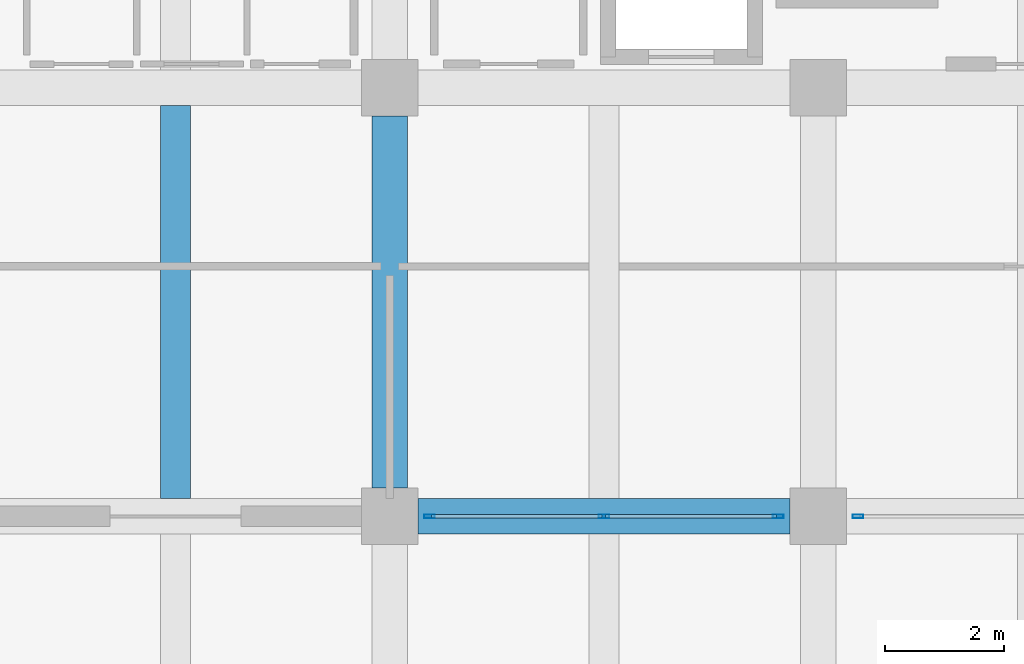
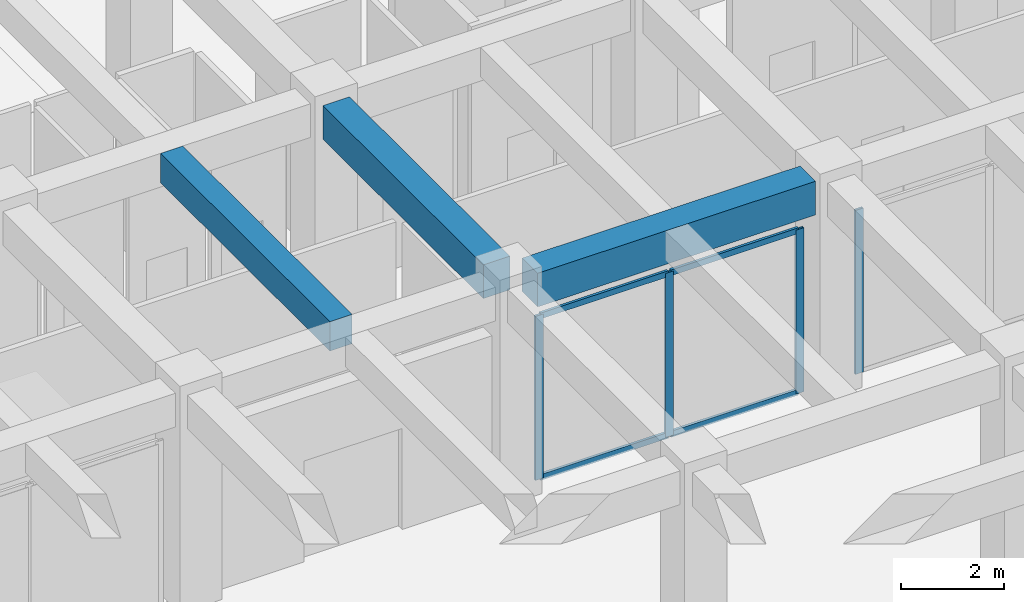
# One storey, part 12 of 56: 8 members, 3 beams, 2 elements without a shape of their own.
"""IFC4 building model written with IfcOpenShell, lengths in metres."""

import ifcopenshell
import ifcopenshell.guid

model = None  # the IFC model being written
_history = None  # IfcOwnerHistory: only IFC2X3 demands one
_inside = {}  # id of a spatial element -> (the spatial element, [elements in it])
_under = {}  # id of a project, library or spatial element -> (it, [spatial elements below it])
_declared = {}  # id of a project -> (the project, [libraries it declares])
_typed = {}  # id of a type object -> (the type object, [elements of that type])
_made_of = {}  # id of a material, layer set ... -> (it, [elements and type objects made of it])


def new_model(schema):
    """Start an empty IFC model of exactly this schema.

    Asked for "IFC4X3", IfcOpenShell would pick the latest addendum, in which some entities
    have other attributes; the version numbers below select the first issue.
    IFC2X3 requires an IfcOwnerHistory on every rooted entity: one is made here for all.
    """
    global model, _history
    if schema == "IFC4X3":
        model = ifcopenshell.file(schema_version=(4, 3, 0, 0))
    else:
        model = ifcopenshell.file(schema=schema)
    _inside.clear()
    _under.clear()
    _declared.clear()
    _typed.clear()
    _made_of.clear()
    _history = None
    if model.schema == "IFC2X3":
        org = make("IfcOrganization", Name="unknown")
        user = make(
            "IfcPersonAndOrganization",
            ThePerson=make("IfcPerson", FamilyName="unknown"),
            TheOrganization=org,
        )
        app = make(
            "IfcApplication",
            ApplicationDeveloper=org,
            Version="unknown",
            ApplicationFullName="unknown",
            ApplicationIdentifier="unknown",
        )
        _history = make(
            "IfcOwnerHistory",
            OwningUser=user,
            OwningApplication=app,
            ChangeAction="ADDED",
            CreationDate=0,
        )
    return model


def make(cls, **values):
    """One entity of the class cls with the attributes given. An attribute that is None is left unset."""
    return model.create_entity(
        cls, **{name: value for name, value in values.items() if value is not None}
    )


def rooted(cls, **values):
    """An entity with a GlobalId (a new one), such as an element, a storey or a relation."""
    return make(cls, GlobalId=ifcopenshell.guid.new(), OwnerHistory=_history, **values)


def si_unit(unit_type, name, prefix=None):
    """IfcSIUnit, for example si_unit("LENGTHUNIT", "METRE", prefix="MILLI")."""
    return make("IfcSIUnit", UnitType=unit_type, Prefix=prefix, Name=name)


def assignment(units):
    """IfcUnitAssignment: the units of a project."""
    return None if units is None else make("IfcUnitAssignment", Units=units)


def point(xyz):
    """IfcCartesianPoint."""
    return None if xyz is None else make("IfcCartesianPoint", Coordinates=xyz)


def direction(xyz):
    """IfcDirection."""
    return None if xyz is None else make("IfcDirection", DirectionRatios=xyz)


def frame(location, z_axis=None, x_axis=None):
    """IfcAxis2Placement3D, a coordinate frame: its origin and axes. An axis left out is left unset."""
    return make(
        "IfcAxis2Placement3D",
        Location=point(location),
        Axis=direction(z_axis),
        RefDirection=direction(x_axis),
    )


def frame_2d(location, x_axis=None):
    """IfcAxis2Placement2D, a coordinate frame in the plane: its origin and x axis."""
    return make(
        "IfcAxis2Placement2D", Location=point(location), RefDirection=direction(x_axis)
    )


def origin():
    """The frame at (0, 0, 0) with its axes left unset."""
    return frame((0.0, 0.0, 0.0))


def origin_2d():
    """The frame at (0, 0) in the plane with its x axis left unset."""
    return frame_2d((0.0, 0.0))


def place(relative_to, where):
    """IfcLocalPlacement: puts the frame where relative to a parent placement (None: the world)."""
    return make(
        "IfcLocalPlacement", PlacementRelTo=relative_to, RelativePlacement=where
    )


def context(
    kind, dimensions, precision=None, world=None, true_north=None, identifier=None
):
    """IfcGeometricRepresentationContext, for example the 3D "Model" context."""
    return make(
        "IfcGeometricRepresentationContext",
        ContextIdentifier=identifier,
        ContextType=kind,
        CoordinateSpaceDimension=dimensions,
        Precision=precision,
        WorldCoordinateSystem=world,
        TrueNorth=true_north,
    )


def subcontext(parent, identifier, kind, view, scale=None):
    """IfcGeometricRepresentationSubContext, for example "Body" below "Model"."""
    return make(
        "IfcGeometricRepresentationSubContext",
        ContextIdentifier=identifier,
        ContextType=kind,
        ParentContext=parent,
        TargetScale=scale,
        TargetView=view,
    )


def project(units=None, contexts=None):
    """IfcProject with its units and contexts."""
    return rooted(
        "IfcProject",
        Name="project",
        RepresentationContexts=contexts,
        UnitsInContext=assignment(units),
    )


def spatial(cls, under=None, at=None, **own):
    """A site, building, storey or space (cls), placed at a placement, below another one or the project."""
    s = rooted(cls, ObjectPlacement=at, **own)
    if under is not None:
        _under.setdefault(under.id(), (under, []))[1].append(s)
    return s


def profile(cls, at=None, kind="AREA", **sizes):
    """A parametric profile (cls). Its sizes go by their IFC names, for example OverallWidth=200.0."""
    return make(cls, ProfileType=kind, Position=at, **sizes)


def rectangle(**sizes):
    """IfcRectangleProfileDef."""
    return profile("IfcRectangleProfileDef", **sizes)


def hollow_rectangle(**sizes):
    """IfcRectangleHollowProfileDef."""
    return profile("IfcRectangleHollowProfileDef", **sizes)


def extrude(swept, where, along, depth):
    """IfcExtrudedAreaSolid: the profile swept, set in the frame where, extruded along a direction by depth."""
    return make(
        "IfcExtrudedAreaSolid",
        SweptArea=swept,
        Position=where,
        ExtrudedDirection=direction(along),
        Depth=depth,
    )


def shape(context_of_items, identifier, shape_type, items):
    """IfcShapeRepresentation: the items that make up one representation, for example the "Body"."""
    return make(
        "IfcShapeRepresentation",
        ContextOfItems=context_of_items,
        RepresentationIdentifier=identifier,
        RepresentationType=shape_type,
        Items=items,
    )


def material(Name=None, Category=None):
    """IfcMaterial."""
    return make("IfcMaterial", Name=Name, Category=Category)


def material_profile(
    of_material, cross_section, Name=None, Category=None, Priority=None
):
    """IfcMaterialProfile: a cross section and its material."""
    return make(
        "IfcMaterialProfile",
        Name=Name,
        Material=of_material,
        Profile=cross_section,
        Priority=Priority,
        Category=Category,
    )


def profile_set(profiles, Name=None, composite=None):
    """IfcMaterialProfileSet."""
    return make(
        "IfcMaterialProfileSet",
        Name=Name,
        MaterialProfiles=profiles,
        CompositeProfile=composite,
    )


def made_of(thing, what):
    """Note that an element or type object is made of a material, layer set ...; save() writes the relation."""
    if what is not None:
        _made_of.setdefault(what.id(), (what, []))[1].append(thing)
    return thing


def type_object(cls, material=None, **own):
    """A type object (cls), such as IfcWallType, which elements share."""
    return made_of(rooted(cls, **own), material)


def element(
    cls,
    number,
    at=None,
    inside=None,
    cuts=None,
    type_object=None,
    material=None,
    context=None,
    identifier="Body",
    shape_type=None,
    held_by="IfcProductDefinitionShape",
    body=None,
    shapes=None,
    **own,
):
    """One element of the class cls, such as IfcWall. Its Tag is "e" and its number.

    at: its placement. inside: the storey or other place that contains it. cuts: it is an
    opening in that element (IfcRelVoidsElement). A single representation is given by context,
    identifier, shape_type and body (its items); several are given by shapes. held_by: the class
    of the entity that holds the representations. save() writes the other relations.
    """
    e = rooted(cls, Tag="e%d" % number, ObjectPlacement=at, **own)
    if body is not None:
        shapes = [shape(context, identifier, shape_type, body)]
    if shapes is not None:
        e.Representation = make(held_by, Representations=shapes)
    if inside is not None:
        _inside.setdefault(inside.id(), (inside, []))[1].append(e)
    if cuts is not None:
        rooted(
            "IfcRelVoidsElement", RelatingBuildingElement=cuts, RelatedOpeningElement=e
        )
    if type_object is not None:
        _typed.setdefault(type_object.id(), (type_object, []))[1].append(e)
    return made_of(e, material)


def aggregate(whole, parts):
    """IfcRelAggregates: a whole, such as a stair, and the parts it consists of."""
    return rooted("IfcRelAggregates", RelatingObject=whole, RelatedObjects=parts)


def save(model, path):
    """Write the relations noted so far, then the file.

    IfcRelAggregates (storeys below a building ...), IfcRelContainedInSpatialStructure (elements
    in a storey), IfcRelDefinesByType, IfcRelAssociatesMaterial and IfcRelDeclares: one each for
    every whole, place, type object, material and project.
    """
    for whole, parts in _under.values():
        aggregate(whole, parts)
    for where, things in _inside.values():
        rooted(
            "IfcRelContainedInSpatialStructure",
            RelatedElements=things,
            RelatingStructure=where,
        )
    for kind, things in _typed.values():
        rooted("IfcRelDefinesByType", RelatedObjects=things, RelatingType=kind)
    for what, things in _made_of.values():
        rooted("IfcRelAssociatesMaterial", RelatedObjects=things, RelatingMaterial=what)
    for by, libraries in _declared.values():
        rooted("IfcRelDeclares", RelatingContext=by, RelatedDefinitions=libraries)
    model.write(path)


model = new_model("IFC4")

# Units and contexts
model_context = context("Model", 3, precision=1e-05, world=origin(), true_north=direction((0.0, 1.0)))
body_context = subcontext(model_context, "Body", "Model", "MODEL_VIEW")
ifc_project = project(units=[si_unit("LENGTHUNIT", "METRE"), si_unit("AREAUNIT", "SQUARE_METRE"), si_unit("VOLUMEUNIT", "CUBIC_METRE"), si_unit("PLANEANGLEUNIT", "RADIAN"), si_unit("MASSUNIT", "GRAM", prefix="KILO")], contexts=[model_context])

# Site, building, storey
site_placement = place(None, origin())
site = spatial("IfcSite", under=ifc_project, at=site_placement, CompositionType="ELEMENT")
building_placement = place(site_placement, origin())
building = spatial("IfcBuilding", under=site, at=building_placement, Name="Kazehaya Institute of Natural Sciences", CompositionType="ELEMENT")
storey_placement = place(building_placement, origin())
storey = spatial("IfcBuildingStorey", under=building, at=storey_placement, Name="L00", CompositionType="ELEMENT", Elevation=0.0)

# Beams
ifc_material_1 = material(Name="Concrete Fc36", Category="concrete")
ifc_material_profile_1 = material_profile(ifc_material_1, rectangle(XDim=0.60009765625, YDim=0.800048828125, at=origin_2d()), Name="RC-600x800")
ifc_profile_set_1 = profile_set([ifc_material_profile_1], Name="Concrete Fc36")
beam_type_1 = type_object("IfcBeamType", Name="BM-G-600x800", PredefinedType="BEAM", material=ifc_profile_set_1)
for number, where, z_axis, x_axis, name in (
    (1, (91.074951171875, 14.0, 4.72998046875), (1.0, 0.0, 0.0), (0.0, 1.0, 0.0), "L00 primary X girder BMX-L00-906-140"),
    (2, (90.60009765625, 14.47509765625, 4.72998046875), (0.0, 1.0, 0.0), (-1.0, 0.0, 0.0), "L00 primary Y girder BMY-L00-906-140"),
):
    element("IfcBeam", number, at=place(storey_placement, frame(where, z_axis=z_axis, x_axis=x_axis)), inside=storey, type_object=beam_type_1, Name=name, PredefinedType="BEAM", context=body_context, shape_type="SweptSolid", body=[
        extrude(rectangle(XDim=0.60009765625, YDim=0.800048828125, at=origin_2d()), origin(), (0.0, 0.0, 1.0), 6.25),
    ])
ifc_material_profile_2 = material_profile(ifc_material_1, rectangle(XDim=0.5, YDim=0.699951171875, at=origin_2d()), Name="RC-500x700")
ifc_profile_set_2 = profile_set([ifc_material_profile_2], Name="Concrete Fc36")
beam_type_2 = type_object("IfcBeamType", Name="BM-J-500x700", PredefinedType="JOIST", material=ifc_profile_set_2)
beam_placement = place(storey_placement, frame((87.0, 14.300048828125, 4.780029296875), z_axis=(0.0, 1.0, 0.0), x_axis=(-1.0, 0.0, 0.0)))
element("IfcBeam", 3, at=beam_placement, inside=storey, type_object=beam_type_2, Name="L00 secondary lab beam JST-L00-0015", PredefinedType="JOIST", context=body_context, shape_type="SweptSolid", body=[
    extrude(rectangle(XDim=0.5, YDim=0.699951171875, at=origin_2d()), origin(), (0.0, 0.0, 1.0), 6.599853515625),
])

# Curtain wall, member
ifc_material_2 = material(Name="Aluminium alloy A6063S-T5", Category="aluminium")
curtain_wall_type = type_object("IfcCurtainWallType", Name="CW-SYS-01", PredefinedType="NOTDEFINED", material=ifc_material_2)
curtain_wall_1_placement = place(storey_placement, origin())
curtain_wall_1 = element("IfcCurtainWall", 4, at=curtain_wall_1_placement, inside=storey, type_object=curtain_wall_type, Name="L00 unitised curtain wall CW-L00-002", PredefinedType="NOTDEFINED")
ifc_material_profile_3 = material_profile(ifc_material_2, hollow_rectangle(XDim=0.06005859375, YDim=0.179931640625, WallThickness=0.00390625, at=origin_2d()), Name="ALU-60x180x4")
ifc_profile_set_3 = profile_set([ifc_material_profile_3], Name="Aluminium alloy A6063S-T5")
member_type_1 = type_object("IfcMemberType", Name="CWM-180", PredefinedType="MULLION", material=ifc_profile_set_3)
member_1_placement = place(storey_placement, frame((98.469970703125, 14.0, 0.0), z_axis=(0.0, 0.0, 1.0), x_axis=(0.0, -1.0, 0.0)))
member_1 = element("IfcMember", 5, at=member_1_placement, type_object=member_type_1, Name="CW01 mullion 3", PredefinedType="MULLION", context=body_context, shape_type="SweptSolid", body=[
    extrude(hollow_rectangle(XDim=0.06005859375, YDim=0.179931640625, WallThickness=0.00390625, at=origin_2d()), origin(), (0.0, 0.0, 1.0), 3.89990234375),
])
aggregate(curtain_wall_1, [member_1])

# Curtain wall, members
curtain_wall_2_placement = place(storey_placement, origin())
curtain_wall_2 = element("IfcCurtainWall", 6, at=curtain_wall_2_placement, inside=storey, type_object=curtain_wall_type, Name="L00 unitised curtain wall CW-L00-003", PredefinedType="NOTDEFINED")
member_2_placement = place(storey_placement, frame((97.1298828125, 14.0, 0.0), z_axis=(0.0, 0.0, 1.0), x_axis=(0.0, -1.0, 0.0)))
member_2 = element("IfcMember", 7, at=member_2_placement, type_object=member_type_1, Name="CW01 mullion 1", PredefinedType="MULLION", context=body_context, shape_type="SweptSolid", body=[
    extrude(hollow_rectangle(XDim=0.06005859375, YDim=0.179931640625, WallThickness=0.00390625, at=origin_2d()), origin(), (0.0, 0.0, 1.0), 3.89990234375),
])
member_3_placement = place(storey_placement, frame((94.199951171875, 14.0, 0.0), z_axis=(0.0, 0.0, 1.0), x_axis=(0.0, -1.0, 0.0)))
member_3 = element("IfcMember", 8, at=member_3_placement, type_object=member_type_1, Name="CW01 mullion 2", PredefinedType="MULLION", context=body_context, shape_type="SweptSolid", body=[
    extrude(hollow_rectangle(XDim=0.06005859375, YDim=0.179931640625, WallThickness=0.00390625, at=origin_2d()), origin(), (0.0, 0.0, 1.0), 3.89990234375),
])
member_4_placement = place(storey_placement, frame((91.27001953125, 14.0, 0.0), z_axis=(0.0, 0.0, 1.0), x_axis=(0.0, -1.0, 0.0)))
member_4 = element("IfcMember", 9, at=member_4_placement, type_object=member_type_1, Name="CW01 mullion 3", PredefinedType="MULLION", context=body_context, shape_type="SweptSolid", body=[
    extrude(hollow_rectangle(XDim=0.06005859375, YDim=0.179931640625, WallThickness=0.00390625, at=origin_2d()), origin(), (0.0, 0.0, 1.0), 3.89990234375),
])
ifc_material_profile_4 = material_profile(ifc_material_2, hollow_rectangle(XDim=0.06005859375, YDim=0.139892578125, WallThickness=0.00341796875, at=origin_2d()), Name="ALU-60x140x3.5")
ifc_profile_set_4 = profile_set([ifc_material_profile_4], Name="Aluminium alloy A6063S-T5")
member_type_2 = type_object("IfcMemberType", Name="CWT-140", PredefinedType="USERDEFINED", material=ifc_profile_set_4)
member_5_placement = place(storey_placement, frame((97.10009765625, 14.0, 0.030029296875), z_axis=(-1.0, 0.0, 0.0), x_axis=(0.0, -1.0, 0.0)))
member_5 = element("IfcMember", 10, at=member_5_placement, type_object=member_type_2, Name="CW01 transom 1.1", ObjectType="TRANSOM", PredefinedType="USERDEFINED", context=body_context, shape_type="SweptSolid", body=[
    extrude(hollow_rectangle(XDim=0.06005859375, YDim=0.139892578125, WallThickness=0.00341796875, at=origin_2d()), origin(), (0.0, 0.0, 1.0), 2.8701171875),
])
member_6_placement = place(storey_placement, frame((97.10009765625, 14.0, 3.8701171875), z_axis=(-1.0, 0.0, 0.0), x_axis=(0.0, -1.0, 0.0)))
member_6 = element("IfcMember", 11, at=member_6_placement, type_object=member_type_2, Name="CW01 transom 1.2", ObjectType="TRANSOM", PredefinedType="USERDEFINED", context=body_context, shape_type="SweptSolid", body=[
    extrude(hollow_rectangle(XDim=0.06005859375, YDim=0.139892578125, WallThickness=0.00341796875, at=origin_2d()), origin(), (0.0, 0.0, 1.0), 2.8701171875),
])
member_7_placement = place(storey_placement, frame((94.169921875, 14.0, 0.030029296875), z_axis=(-1.0, 0.0, 0.0), x_axis=(0.0, -1.0, 0.0)))
member_7 = element("IfcMember", 12, at=member_7_placement, type_object=member_type_2, Name="CW01 transom 2.1", ObjectType="TRANSOM", PredefinedType="USERDEFINED", context=body_context, shape_type="SweptSolid", body=[
    extrude(hollow_rectangle(XDim=0.06005859375, YDim=0.139892578125, WallThickness=0.00341796875, at=origin_2d()), origin(), (0.0, 0.0, 1.0), 2.869873046875),
])
member_8_placement = place(storey_placement, frame((94.169921875, 14.0, 3.8701171875), z_axis=(-1.0, 0.0, 0.0), x_axis=(0.0, -1.0, 0.0)))
member_8 = element("IfcMember", 13, at=member_8_placement, type_object=member_type_2, Name="CW01 transom 2.2", ObjectType="TRANSOM", PredefinedType="USERDEFINED", context=body_context, shape_type="SweptSolid", body=[
    extrude(hollow_rectangle(XDim=0.06005859375, YDim=0.139892578125, WallThickness=0.00341796875, at=origin_2d()), origin(), (0.0, 0.0, 1.0), 2.869873046875),
])
aggregate(curtain_wall_2, [member_2, member_3, member_4, member_5, member_6, member_7, member_8])

save(model, "model.ifc")
